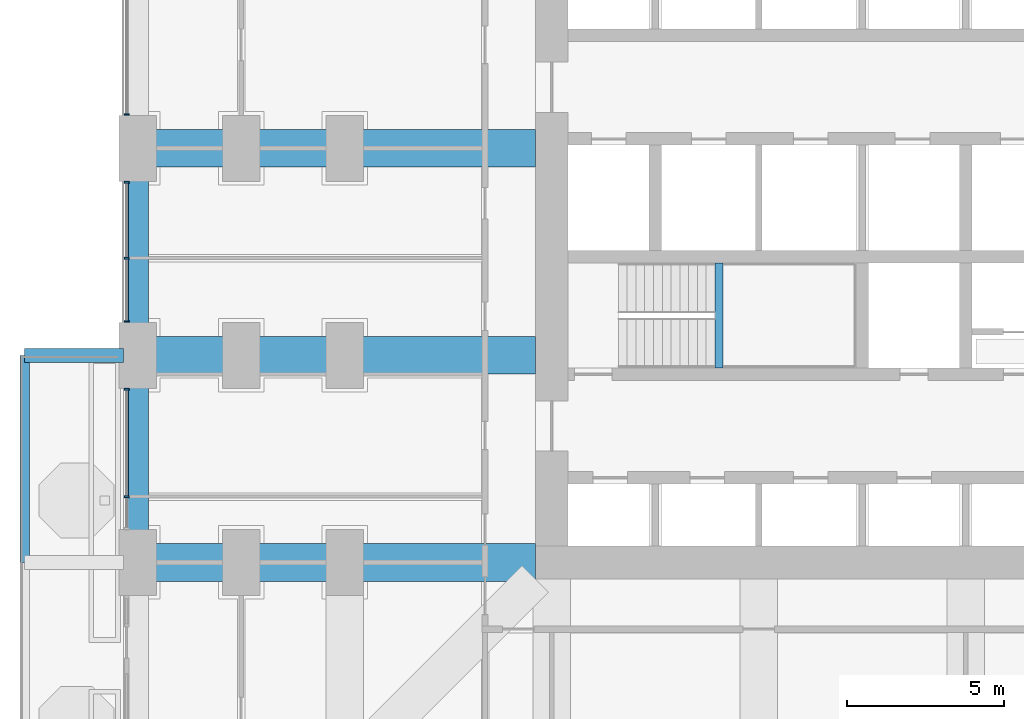
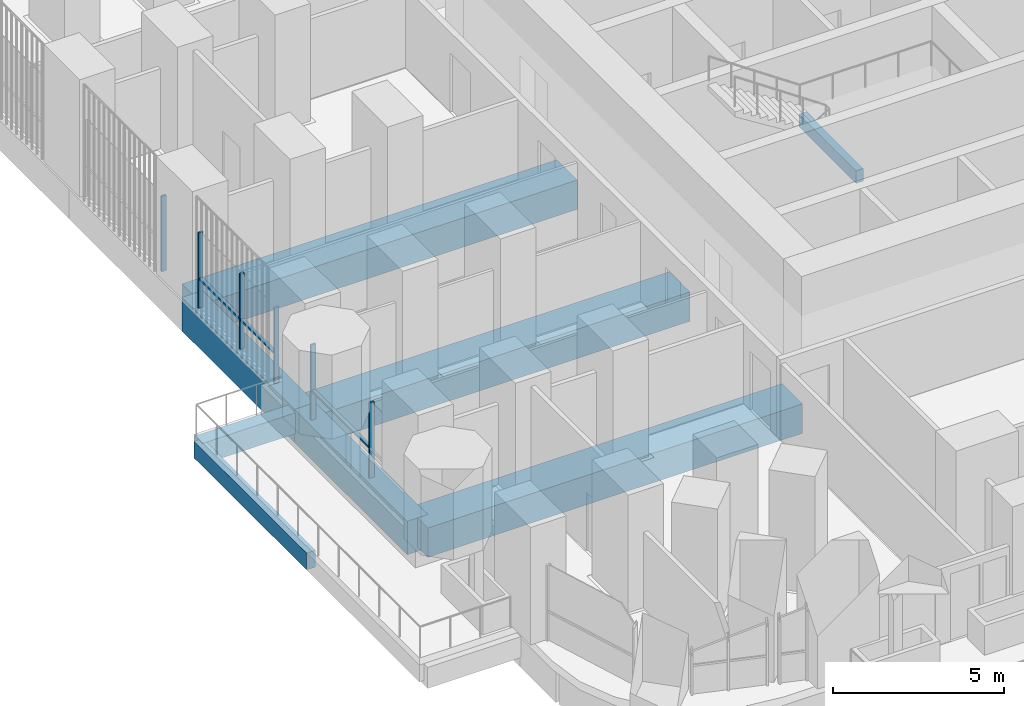
# One storey, part 4 of 27: 9 members, 8 beams, 3 elements without a shape of their own.
"""IFC4 building model written with IfcOpenShell, lengths in metres."""

from ifc_helpers import new_model, si_unit, direction, frame, origin, origin_2d, place, context, subcontext, project, spatial, rectangle, extrude, material, material_profile, profile_set, type_object, element, aggregate, save


model = new_model("IFC4")

# Units and contexts
model_context = context("Model", 3, precision=1e-05, world=origin(), true_north=direction((0.0, 1.0)))
body_context = subcontext(model_context, "Body", "Model", "MODEL_VIEW")
ifc_project = project(units=[si_unit("LENGTHUNIT", "METRE"), si_unit("AREAUNIT", "SQUARE_METRE"), si_unit("VOLUMEUNIT", "CUBIC_METRE"), si_unit("PLANEANGLEUNIT", "RADIAN"), si_unit("MASSUNIT", "GRAM", prefix="KILO")], contexts=[model_context])

# Site, building, storey
site_placement = place(None, origin())
site = spatial("IfcSite", under=ifc_project, at=site_placement, CompositionType="ELEMENT")
building_placement = place(site_placement, origin())
building = spatial("IfcBuilding", under=site, at=building_placement, Name="Cobogo Forest Laboratory Tower", CompositionType="ELEMENT")
storey_placement = place(building_placement, frame((0.0, 0.0, 29.699951171875)))
storey = spatial("IfcBuildingStorey", under=building, at=storey_placement, Name="L06", CompositionType="ELEMENT", Elevation=29.699951171875)

# Beams
ifc_material_1 = material(Name="Concrete HA-40 (C40/50)", Category="concrete")
ifc_material_profile_1 = material_profile(ifc_material_1, rectangle(XDim=0.449951171875, YDim=0.75, at=origin_2d()), Name="RC 450x750")
ifc_profile_set_1 = profile_set([ifc_material_profile_1], Name="Concrete HA-40 (C40/50)")
beam_type_1 = type_object("IfcBeamType", Name="Balcony cantilever beam 450x750", PredefinedType="BEAM", material=ifc_profile_set_1)
beam_1_placement = place(storey_placement, frame((-0.449951171875, 19.800048828125, -0.625), z_axis=(-1.0, 0.0, 0.0), x_axis=(0.0, -1.0, 0.0)))
element("IfcBeam", 1, at=beam_1_placement, inside=storey, type_object=beam_type_1, Name="CB1 BAL-W1-C3 L06", PredefinedType="BEAM", context=body_context, shape_type="SweptSolid", body=[
    extrude(rectangle(XDim=0.449951171875, YDim=0.75, at=origin_2d()), origin(), (0.0, 0.0, 1.0), 3.150146484375),
])
ifc_material_profile_2 = material_profile(ifc_material_1, rectangle(XDim=0.300048828125, YDim=0.60009765625, at=origin_2d()), Name="RC 300x600")
ifc_profile_set_2 = profile_set([ifc_material_profile_2], Name="Concrete HA-40 (C40/50)")
beam_type_2 = type_object("IfcBeamType", Name="Balcony edge beam 300x600", PredefinedType="BEAM", material=ifc_profile_set_2)
beam_2_placement = place(storey_placement, frame((-3.60009765625, 13.199951171875, -0.550048828125), z_axis=(0.0, 1.0, 0.0), x_axis=(-1.0, 0.0, 0.0)))
element("IfcBeam", 2, at=beam_2_placement, inside=storey, type_object=beam_type_2, Name="BB1 BAL-W1-T2 L06", PredefinedType="BEAM", context=body_context, shape_type="SweptSolid", body=[
    extrude(rectangle(XDim=0.300048828125, YDim=0.60009765625, at=origin_2d()), origin(), (0.0, 0.0, 1.0), 6.60009765625),
])
ifc_material_profile_3 = material_profile(ifc_material_1, rectangle(XDim=0.25, YDim=0.449951171875, at=origin_2d()), Name="RC 250x450")
ifc_profile_set_3 = profile_set([ifc_material_profile_3], Name="Concrete HA-40 (C40/50)")
beam_type_3 = type_object("IfcBeamType", Name="LB1 landing beam 250x450", PredefinedType="BEAM", material=ifc_profile_set_3)
beam_3_placement = place(storey_placement, frame((18.530029296875, 19.39990234375, 1.675048828125), z_axis=(0.0, 1.0, 0.0), x_axis=(-1.0, 0.0, 0.0)))
element("IfcBeam", 3, at=beam_3_placement, inside=storey, type_object=beam_type_3, Name="Landing beam ST1 L06", PredefinedType="BEAM", context=body_context, shape_type="SweptSolid", body=[
    extrude(rectangle(XDim=0.25, YDim=0.449951171875, at=origin_2d()), origin(), (0.0, 0.0, 1.0), 3.35009765625),
])
ifc_material_profile_4 = material_profile(ifc_material_1, rectangle(XDim=1.199951171875, YDim=1.050048828125, at=origin_2d()), Name="RC 1200x1050")
ifc_profile_set_4 = profile_set([ifc_material_profile_4], Name="Concrete HA-40 (C40/50)")
beam_type_4 = type_object("IfcBeamType", Name="Laboratory floor wide beam 1200x1050", PredefinedType="BEAM", material=ifc_profile_set_4)
for number, where, z_axis, x_axis, name in (
    (4, (12.675048828125, 13.199951171875, -0.824951171875), (-1.0, 0.0, 0.0), (0.0, -1.0, 0.0), "RB1 R-C-W L06"),
    (5, (12.675048828125, 19.800048828125, -0.824951171875), (-1.0, 0.0, 0.0), (0.0, -1.0, 0.0), "RB1 R-D-W L06"),
    (6, (12.675048828125, 26.39990234375, -0.824951171875), (-1.0, 0.0, 0.0), (0.0, -1.0, 0.0), "RB1 R-E-W L06"),
):
    element("IfcBeam", number, at=place(storey_placement, frame(where, z_axis=z_axis, x_axis=x_axis)), inside=storey, type_object=beam_type_4, Name=name, PredefinedType="BEAM", context=body_context, shape_type="SweptSolid", body=[
        extrude(rectangle(XDim=1.199951171875, YDim=1.050048828125, at=origin_2d()), origin(), (0.0, 0.0, 1.0), 12.675048828125),
    ])

# Curtain wall, member
ifc_material_2 = material(Name="Aluminium curtain wall", Category="aluminium")
curtain_wall_type = type_object("IfcCurtainWallType", Name="CW-1 unitised curtain wall, clear glazing, laboratory floors zones A and B", PredefinedType="USERDEFINED", material=ifc_material_2)
curtain_wall_1_placement = place(storey_placement, origin())
curtain_wall_1 = element("IfcCurtainWall", 7, at=curtain_wall_1_placement, inside=storey, type_object=curtain_wall_type, Name="Curtain wall 28 L06", ObjectType="UNITISED CURTAIN WALL", PredefinedType="USERDEFINED")
ifc_material_3 = material(Name="Aluminium mullion", Category="aluminium")
ifc_material_profile_5 = material_profile(ifc_material_3, rectangle(XDim=0.06005859375, YDim=0.159912109375, at=origin_2d()), Name="AL 60x160")
ifc_profile_set_5 = profile_set([ifc_material_profile_5], Name="Aluminium mullion")
member_type_1 = type_object("IfcMemberType", Name="MU-1 aluminium mullion 60x160", PredefinedType="MULLION", material=ifc_profile_set_5)
member_1_placement = place(storey_placement, frame((-0.35009765625, 27.47998046875, 0.0), z_axis=(0.0, 0.0, 1.0), x_axis=(0.0, -1.0, 0.0)))
member_1 = element("IfcMember", 8, at=member_1_placement, type_object=member_type_1, Name="CW-1 mullion 2", PredefinedType="MULLION", context=body_context, shape_type="SweptSolid", body=[
    extrude(rectangle(XDim=0.06005859375, YDim=0.159912109375, at=origin_2d()), origin(), (0.0, 0.0, 1.0), 2.699951171875),
])
aggregate(curtain_wall_1, [member_1])

# Curtain wall, members
curtain_wall_2_placement = place(storey_placement, origin())
curtain_wall_2 = element("IfcCurtainWall", 9, at=curtain_wall_2_placement, inside=storey, type_object=curtain_wall_type, Name="Curtain wall 29 L06", ObjectType="UNITISED CURTAIN WALL", PredefinedType="USERDEFINED")
member_2_placement = place(storey_placement, frame((-0.35009765625, 25.320068359375, 0.0), z_axis=(0.0, 0.0, 1.0), x_axis=(0.0, -1.0, 0.0)))
member_2 = element("IfcMember", 10, at=member_2_placement, type_object=member_type_1, Name="CW-1 mullion 1", PredefinedType="MULLION", context=body_context, shape_type="SweptSolid", body=[
    extrude(rectangle(XDim=0.06005859375, YDim=0.159912109375, at=origin_2d()), origin(), (0.0, 0.0, 1.0), 2.699951171875),
])
member_3_placement = place(storey_placement, frame((-0.35009765625, 22.89990234375, 0.0), z_axis=(0.0, 0.0, 1.0), x_axis=(0.0, -1.0, 0.0)))
member_3 = element("IfcMember", 11, at=member_3_placement, type_object=member_type_1, Name="CW-1 mullion 2", PredefinedType="MULLION", context=body_context, shape_type="SweptSolid", body=[
    extrude(rectangle(XDim=0.06005859375, YDim=0.159912109375, at=origin_2d()), origin(), (0.0, 0.0, 1.0), 2.699951171875),
])
member_4_placement = place(storey_placement, frame((-0.35009765625, 20.8798828125, 0.0), z_axis=(0.0, 0.0, 1.0), x_axis=(0.0, -1.0, 0.0)))
member_4 = element("IfcMember", 12, at=member_4_placement, type_object=member_type_1, Name="CW-1 mullion 3", PredefinedType="MULLION", context=body_context, shape_type="SweptSolid", body=[
    extrude(rectangle(XDim=0.06005859375, YDim=0.159912109375, at=origin_2d()), origin(), (0.0, 0.0, 1.0), 2.699951171875),
])

curtain_wall_3_placement = place(storey_placement, origin())
curtain_wall_3 = element("IfcCurtainWall", 13, at=curtain_wall_3_placement, inside=storey, type_object=curtain_wall_type, Name="Curtain wall 30 L06", ObjectType="UNITISED CURTAIN WALL", PredefinedType="USERDEFINED")
member_5_placement = place(storey_placement, frame((-0.35009765625, 18.719970703125, 0.0), z_axis=(0.0, 0.0, 1.0), x_axis=(0.0, -1.0, 0.0)))
member_5 = element("IfcMember", 14, at=member_5_placement, type_object=member_type_1, Name="CW-1 mullion 1", PredefinedType="MULLION", context=body_context, shape_type="SweptSolid", body=[
    extrude(rectangle(XDim=0.06005859375, YDim=0.159912109375, at=origin_2d()), origin(), (0.0, 0.0, 1.0), 2.699951171875),
])
member_6_placement = place(storey_placement, frame((-0.35009765625, 15.300048828125, 0.0), z_axis=(0.0, 0.0, 1.0), x_axis=(0.0, -1.0, 0.0)))
member_6 = element("IfcMember", 15, at=member_6_placement, type_object=member_type_1, Name="CW-1 mullion 2", PredefinedType="MULLION", context=body_context, shape_type="SweptSolid", body=[
    extrude(rectangle(XDim=0.06005859375, YDim=0.159912109375, at=origin_2d()), origin(), (0.0, 0.0, 1.0), 2.699951171875),
])

# Beams
ifc_material_profile_6 = material_profile(ifc_material_1, rectangle(XDim=0.699951171875, YDim=1.199951171875, at=origin_2d()), Name="RC 700x1200")
ifc_profile_set_6 = profile_set([ifc_material_profile_6], Name="Concrete HA-40 (C40/50)")
beam_type_5 = type_object("IfcBeamType", Name="Perimeter edge beam 700x1200", PredefinedType="BEAM", material=ifc_profile_set_6)
beam_4_placement = place(storey_placement, frame((0.0, 13.199951171875, -0.89990234375), z_axis=(0.0, 1.0, 0.0), x_axis=(-1.0, 0.0, 0.0)))
element("IfcBeam", 16, at=beam_4_placement, inside=storey, type_object=beam_type_5, Name="EB1 E-W2 L06", PredefinedType="BEAM", context=body_context, shape_type="SweptSolid", body=[
    extrude(rectangle(XDim=0.699951171875, YDim=1.199951171875, at=origin_2d()), origin(), (0.0, 0.0, 1.0), 6.60009765625),
])
beam_5_placement = place(storey_placement, frame((0.0, 19.800048828125, -0.89990234375), z_axis=(0.0, 1.0, 0.0), x_axis=(-1.0, 0.0, 0.0)))
element("IfcBeam", 17, at=beam_5_placement, inside=storey, type_object=beam_type_5, Name="EB1 E-W3 L06", PredefinedType="BEAM", context=body_context, shape_type="SweptSolid", body=[
    extrude(rectangle(XDim=0.699951171875, YDim=1.199951171875, at=origin_2d()), origin(), (0.0, 0.0, 1.0), 6.599853515625),
])

# Member
ifc_material_4 = material(Name="Aluminium transom", Category="aluminium")
ifc_material_profile_7 = material_profile(ifc_material_4, rectangle(XDim=0.1201171875, YDim=0.06005859375, at=origin_2d()), Name="AL 60x120")
ifc_profile_set_7 = profile_set([ifc_material_profile_7], Name="Aluminium transom")
member_type_2 = type_object("IfcMemberType", Name="TR-1 aluminium transom 60x120", PredefinedType="USERDEFINED", material=ifc_profile_set_7)
member_7_placement = place(storey_placement, frame((-0.35009765625, 25.2900390625, 1.050048828125), z_axis=(0.0, -1.0, 0.0), x_axis=(1.0, 0.0, 0.0)))
member_7 = element("IfcMember", 18, at=member_7_placement, type_object=member_type_2, Name="CW-1 transom 1.1", ObjectType="TRANSOM", PredefinedType="USERDEFINED", context=body_context, shape_type="SweptSolid", body=[
    extrude(rectangle(XDim=0.1201171875, YDim=0.06005859375, at=origin_2d()), origin(), (0.0, 0.0, 1.0), 2.360107421875),
])

member_8_placement = place(storey_placement, frame((-0.35009765625, 22.8701171875, 1.050048828125), z_axis=(0.0, -1.0, 0.0), x_axis=(1.0, 0.0, 0.0)))
member_8 = element("IfcMember", 19, at=member_8_placement, type_object=member_type_2, Name="CW-1 transom 2.1", ObjectType="TRANSOM", PredefinedType="USERDEFINED", context=body_context, shape_type="SweptSolid", body=[
    extrude(rectangle(XDim=0.1201171875, YDim=0.06005859375, at=origin_2d()), origin(), (0.0, 0.0, 1.0), 1.960205078125),
])

aggregate(curtain_wall_2, [member_2, member_3, member_4, member_7, member_8])

member_9_placement = place(storey_placement, frame((-0.35009765625, 18.68994140625, 1.050048828125), z_axis=(0.0, -1.0, 0.0), x_axis=(1.0, 0.0, 0.0)))
member_9 = element("IfcMember", 20, at=member_9_placement, type_object=member_type_2, Name="CW-1 transom 1.1", ObjectType="TRANSOM", PredefinedType="USERDEFINED", context=body_context, shape_type="SweptSolid", body=[
    extrude(rectangle(XDim=0.1201171875, YDim=0.06005859375, at=origin_2d()), origin(), (0.0, 0.0, 1.0), 3.35986328125),
])

aggregate(curtain_wall_3, [member_5, member_6, member_9])

save(model, "model.ifc")
